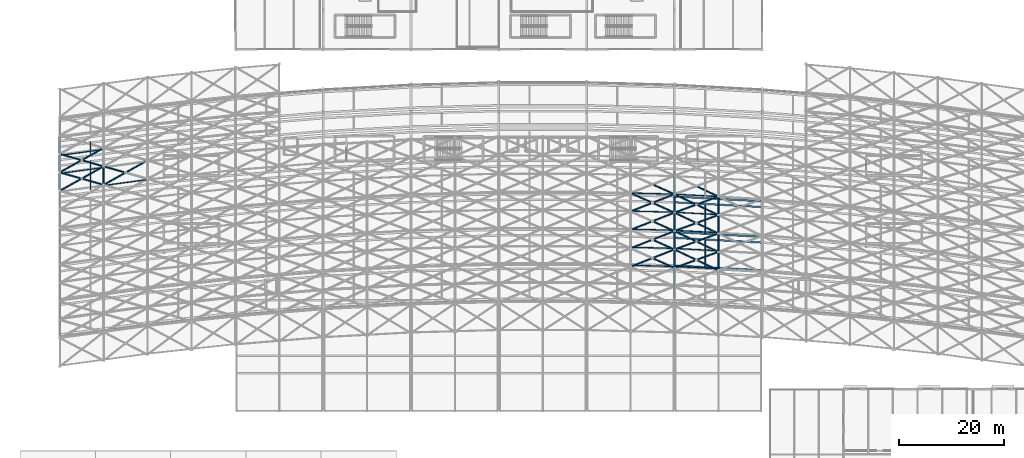
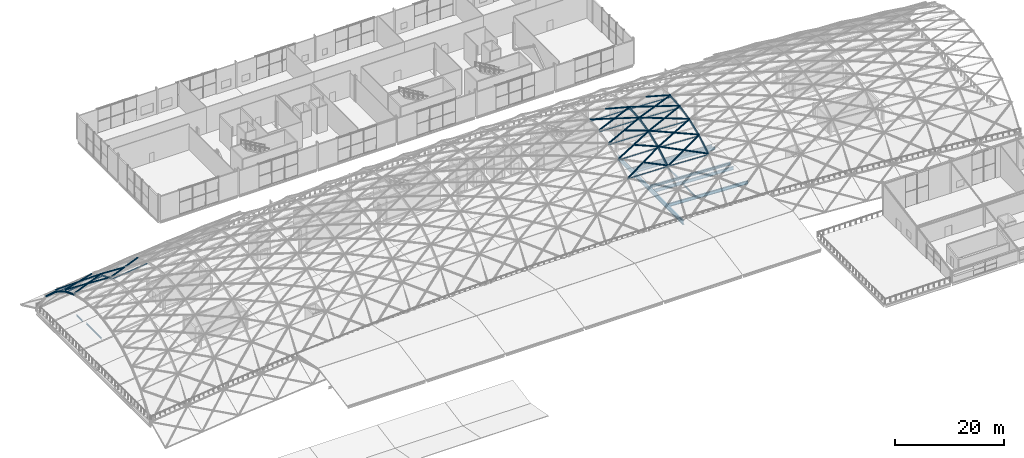
# One storey, part 22 of 100: 56 members, 10 beams.
"""IFC4 building model written with IfcOpenShell, lengths in metres."""

from ifc_helpers import new_model, si_unit, direction, frame, origin, origin_2d, place, context, subcontext, project, spatial, hollow_circle, i_section, extrude, material, material_profile, profile_set, type_object, element, save


model = new_model("IFC4")

# Units and contexts
model_context = context("Model", 3, precision=1e-05, world=origin(), true_north=direction((0.0, 1.0)))
body_context = subcontext(model_context, "Body", "Model", "MODEL_VIEW")
ifc_project = project(units=[si_unit("LENGTHUNIT", "METRE"), si_unit("AREAUNIT", "SQUARE_METRE"), si_unit("VOLUMEUNIT", "CUBIC_METRE"), si_unit("PLANEANGLEUNIT", "RADIAN"), si_unit("MASSUNIT", "GRAM", prefix="KILO")], contexts=[model_context])

# Site, building, storey
site_placement = place(None, origin())
site = spatial("IfcSite", under=ifc_project, at=site_placement, CompositionType="ELEMENT")
building_placement = place(site_placement, origin())
building = spatial("IfcBuilding", under=site, at=building_placement, Name="Kimbaza Rail Terminus", CompositionType="ELEMENT")
storey_placement = place(building_placement, frame((0.0, 0.0, 10.800048828125)))
storey = spatial("IfcBuildingStorey", under=building, at=storey_placement, Name="L02", CompositionType="ELEMENT", Elevation=10.800048828125)

# Beams
ifc_material_1 = material(Name="Steel S355", Category="steel")
ifc_material_profile_1 = material_profile(ifc_material_1, i_section(OverallWidth=0.300048828125, OverallDepth=0.64990234375, WebThickness=0.01611328125, FlangeThickness=0.031005859375, FilletRadius=0.027099609375, at=origin_2d()), Name="HEB 650")
ifc_profile_set_1 = profile_set([ifc_material_profile_1], Name="Steel S355")
beam_type_1 = type_object("IfcBeamType", Name="STR-BM-HEB650", PredefinedType="USERDEFINED", material=ifc_profile_set_1)
for number, where, z_axis, x_axis, name in (
    (1, (139.3447265625, 68.02978515625, -0.5849609375), (0.998529923153, -0.054203252368, 0.0), (0.054203252368, 0.998529923153, 0.0), "Viaduct Chorded Girder P2 Bay 08"),
    (2, (139.3447265625, 73.729736328125, -0.5849609375), (0.998530722194, -0.054188530475, 0.0), (0.054188530475, 0.998530722194, 0.0), "Viaduct Chorded Girder P2 Bay 08"),
):
    element("IfcBeam", number, at=place(storey_placement, frame(where, z_axis=z_axis, x_axis=x_axis)), inside=storey, type_object=beam_type_1, Name=name, ObjectType="GIRDER", PredefinedType="USERDEFINED", context=body_context, shape_type="SweptSolid", body=[
        extrude(i_section(OverallWidth=0.300048828125, OverallDepth=0.64990234375, WebThickness=0.01611328125, FlangeThickness=0.031005859375, FilletRadius=0.027099609375, at=origin_2d()), origin(), (0.0, 0.0, 1.0), 16.534912109375),
    ])
ifc_material_2 = material(Name="Steel S355", Category="steel")
ifc_material_profile_2 = material_profile(ifc_material_2, i_section(OverallWidth=0.300048828125, OverallDepth=0.699951171875, WebThickness=0.01708984375, FlangeThickness=0.031982421875, FilletRadius=0.027099609375, at=origin_2d()), Name="HEB 700")
ifc_profile_set_2 = profile_set([ifc_material_profile_2], Name="Steel S355")
beam_type_2 = type_object("IfcBeamType", Name="STR-BM-HEB700", PredefinedType="USERDEFINED", material=ifc_profile_set_2)
for number, where, z_axis, x_axis, name in (
    (3, (139.3447265625, 61.6298828125, -0.920166015625), (0.998529923153, -0.054203252368, 0.0), (0.054203252368, 0.998529923153, 0.0), "Viaduct Chorded Girder TR12 Bay 08"),
    (4, (139.3447265625, 66.929931640625, -0.920166015625), (0.998529923153, -0.054203252368, 0.0), (0.054203252368, 0.998529923153, 0.0), "Viaduct Chorded Girder TR12 Bay 08"),
    (5, (139.3447265625, 74.829833984375, -0.920166015625), (0.998529923153, -0.054203252368, 0.0), (0.054203252368, 0.998529923153, 0.0), "Viaduct Chorded Girder TR34 Bay 08"),
):
    element("IfcBeam", number, at=place(storey_placement, frame(where, z_axis=z_axis, x_axis=x_axis)), inside=storey, type_object=beam_type_2, Name=name, ObjectType="GIRDER", PredefinedType="USERDEFINED", context=body_context, shape_type="SweptSolid", body=[
        extrude(i_section(OverallWidth=0.300048828125, OverallDepth=0.699951171875, WebThickness=0.01708984375, FlangeThickness=0.031982421875, FilletRadius=0.027099609375, at=origin_2d()), origin(), (0.0, 0.0, 1.0), 16.534912109375),
    ])
ifc_material_3 = material(Name="Steel S355", Category="steel")
ifc_material_profile_3 = material_profile(ifc_material_3, i_section(OverallWidth=0.302001953125, OverallDepth=0.909912109375, WebThickness=0.02099609375, FlangeThickness=0.0400390625, FilletRadius=0.030029296875, at=origin_2d()), Name="HEM 900")
ifc_profile_set_3 = profile_set([ifc_material_profile_3], Name="Steel S355")
beam_type_3 = type_object("IfcBeamType", Name="STR-BM-HEM900", PredefinedType="USERDEFINED", material=ifc_profile_set_3)
beam_1_placement = place(storey_placement, frame((139.199951171875, 55.498046875, -1.025146484375), z_axis=(0.0, 1.0, 0.0), x_axis=(-1.0, 0.0, 0.0)))
element("IfcBeam", 6, at=beam_1_placement, inside=storey, type_object=beam_type_3, Name="Warren Transfer Truss WT-05 Top Chord", ObjectType="GIRDER", PredefinedType="USERDEFINED", context=body_context, shape_type="SweptSolid", body=[
    extrude(i_section(OverallWidth=0.302001953125, OverallDepth=0.909912109375, WebThickness=0.02099609375, FlangeThickness=0.0400390625, FilletRadius=0.030029296875, at=origin_2d()), origin(), (0.0, 0.0, 1.0), 24.203857421875),
])
ifc_material_4 = material(Name="Steel S355", Category="steel")
ifc_material_profile_4 = material_profile(ifc_material_4, i_section(OverallWidth=0.169921875, OverallDepth=0.360107421875, WebThickness=0.008056640625, FlangeThickness=0.0126953125, FilletRadius=0.01806640625, at=origin_2d()), Name="IPE 360")
ifc_profile_set_4 = profile_set([ifc_material_profile_4], Name="Steel S355")
beam_type_4 = type_object("IfcBeamType", Name="STR-BM-IPE360", PredefinedType="JOIST", material=ifc_profile_set_4)
beam_2_placement = place(storey_placement, frame((27.47998046875, 76.119873046875, -0.43994140625), z_axis=(0.0, 1.0, 0.0), x_axis=(-1.0, 0.0, 0.0)))
element("IfcBeam", 7, at=beam_2_placement, inside=storey, type_object=beam_type_4, Name="Viaduct Diaphragm P3 Bay 01", PredefinedType="JOIST", context=body_context, shape_type="SweptSolid", body=[
    extrude(i_section(OverallWidth=0.169921875, OverallDepth=0.360107421875, WebThickness=0.008056640625, FlangeThickness=0.0126953125, FilletRadius=0.01806640625, at=origin_2d()), origin(), (0.0, 0.0, 1.0), 5.60986328125),
])
beam_3_placement = place(storey_placement, frame((27.47998046875, 83.119873046875, -0.75), z_axis=(0.0, 1.0, 0.0), x_axis=(-1.0, 0.0, 0.0)))
element("IfcBeam", 8, at=beam_3_placement, inside=storey, type_object=beam_type_4, Name="Viaduct Diaphragm TR56 Bay 01", PredefinedType="JOIST", context=body_context, shape_type="SweptSolid", body=[
    extrude(i_section(OverallWidth=0.169921875, OverallDepth=0.360107421875, WebThickness=0.008056640625, FlangeThickness=0.0126953125, FilletRadius=0.01806640625, at=origin_2d()), origin(), (0.0, 0.0, 1.0), 2.2099609375),
])
beam_4_placement = place(storey_placement, frame((145.080078125, 61.32666015625, -0.75), z_axis=(0.0, 1.0, 0.0), x_axis=(-1.0, 0.0, 0.0)))
element("IfcBeam", 9, at=beam_4_placement, inside=storey, type_object=beam_type_4, Name="Viaduct Diaphragm TR12 Bay 08", PredefinedType="JOIST", context=body_context, shape_type="SweptSolid", body=[
    extrude(i_section(OverallWidth=0.169921875, OverallDepth=0.360107421875, WebThickness=0.008056640625, FlangeThickness=0.0126953125, FilletRadius=0.01806640625, at=origin_2d()), origin(), (0.0, 0.0, 1.0), 5.010009765625),
])
beam_5_placement = place(storey_placement, frame((145.080078125, 67.726806640625, -0.43994140625), z_axis=(0.0, 1.0, 0.0), x_axis=(-1.0, 0.0, 0.0)))
element("IfcBeam", 10, at=beam_5_placement, inside=storey, type_object=beam_type_4, Name="Viaduct Diaphragm P2 Bay 08", PredefinedType="JOIST", context=body_context, shape_type="SweptSolid", body=[
    extrude(i_section(OverallWidth=0.169921875, OverallDepth=0.360107421875, WebThickness=0.008056640625, FlangeThickness=0.0126953125, FilletRadius=0.01806640625, at=origin_2d()), origin(), (0.0, 0.0, 1.0), 5.409912109375),
])

# Members
ifc_material_5 = material(Name="White painted steel S355", Category="steel")
ifc_material_profile_5 = material_profile(ifc_material_5, hollow_circle(Radius=0.109619140625, WallThickness=0.008056640625, at=origin_2d()), Name="CHS 219.1x8")
ifc_profile_set_5 = profile_set([ifc_material_profile_5], Name="White painted steel S355")
member_type_1 = type_object("IfcMemberType", Name="STR-MB-CHS219", PredefinedType="PURLIN", material=ifc_profile_set_5)
for number, where, z_axis, x_axis, name in (
    (11, (21.60009765625, 79.2470703125, 10.078857421875), (0.990775062808, 0.135516696087, 0.0), (-0.135516696087, 0.990775062808, 0.0), "Vault lattice longitudinal purlin VR-00-VA10"),
    (12, (21.60009765625, 82.7041015625, 7.9716796875), (0.990775062808, 0.135516696087, 0.0), (-0.135516696087, 0.990775062808, 0.0), "Vault lattice longitudinal purlin VR-00-VA11"),
    (13, (30.0, 76.93896484375, 11.462158203125), (0.990778928837, 0.135488428186, 0.0), (-0.135488428186, 0.990778928837, 0.0), "Vault lattice longitudinal purlin VR-01-VA09"),
):
    element("IfcMember", number, at=place(storey_placement, frame(where, z_axis=z_axis, x_axis=x_axis)), inside=storey, type_object=member_type_1, Name=name, PredefinedType="PURLIN", context=body_context, shape_type="SweptSolid", body=[
        extrude(hollow_circle(Radius=0.109619140625, WallThickness=0.008056640625, at=origin_2d()), origin(), (0.0, 0.0, 1.0), 8.47802734375),
    ])
for number, where, z_axis, x_axis, name in (
    (14, (130.800048828125, 61.687255859375, 7.9716796875), (0.999632526959, -0.027107398351, 0.0), (0.027107398351, 0.999632526959, 0.0), "Vault lattice longitudinal purlin VR-13-VA03"),
    (15, (130.800048828125, 65.144287109375, 10.078857421875), (0.999632526959, -0.027107398351, 0.0), (0.027107398351, 0.999632526959, 0.0), "Vault lattice longitudinal purlin VR-13-VA04"),
    (16, (130.800048828125, 68.601318359375, 11.462158203125), (0.999632526959, -0.027107398351, 0.0), (0.027107398351, 0.999632526959, 0.0), "Vault lattice longitudinal purlin VR-13-VA05"),
    (17, (130.800048828125, 72.058349609375, 12.25244140625), (0.999632526959, -0.027107398351, 0.0), (0.027107398351, 0.999632526959, 0.0), "Vault lattice longitudinal purlin VR-13-VA06"),
    (18, (130.800048828125, 75.515380859375, 12.510009765625), (0.999632526959, -0.027107398351, 0.0), (0.027107398351, 0.999632526959, 0.0), "Vault lattice longitudinal purlin VR-13-VA07"),
):
    element("IfcMember", number, at=place(storey_placement, frame(where, z_axis=z_axis, x_axis=x_axis)), inside=storey, type_object=member_type_1, Name=name, PredefinedType="PURLIN", context=body_context, shape_type="SweptSolid", body=[
        extrude(hollow_circle(Radius=0.109619140625, WallThickness=0.008056640625, at=origin_2d()), origin(), (0.0, 0.0, 1.0), 8.403076171875),
    ])
for number, where, z_axis, x_axis, name in (
    (19, (139.199951171875, 61.45947265625, 7.9716796875), (0.998531049137, -0.054182505558, 0.0), (0.054182505558, 0.998531049137, 0.0), "Vault lattice longitudinal purlin VR-14-VA03"),
    (20, (139.199951171875, 64.91650390625, 10.078857421875), (0.998531049137, -0.054182505558, 0.0), (0.054182505558, 0.998531049137, 0.0), "Vault lattice longitudinal purlin VR-14-VA04"),
    (21, (139.199951171875, 68.37353515625, 11.462158203125), (0.998531049137, -0.054182505558, 0.0), (0.054182505558, 0.998531049137, 0.0), "Vault lattice longitudinal purlin VR-14-VA05"),
    (22, (139.199951171875, 71.83056640625, 12.25244140625), (0.998531049137, -0.054182505558, 0.0), (0.054182505558, 0.998531049137, 0.0), "Vault lattice longitudinal purlin VR-14-VA06"),
    (23, (139.199951171875, 75.28759765625, 12.510009765625), (0.998531049137, -0.054182505558, 0.0), (0.054182505558, 0.998531049137, 0.0), "Vault lattice longitudinal purlin VR-14-VA07"),
):
    element("IfcMember", number, at=place(storey_placement, frame(where, z_axis=z_axis, x_axis=x_axis)), inside=storey, type_object=member_type_1, Name=name, PredefinedType="PURLIN", context=body_context, shape_type="SweptSolid", body=[
        extrude(hollow_circle(Radius=0.109619140625, WallThickness=0.008056640625, at=origin_2d()), origin(), (0.0, 0.0, 1.0), 8.41259765625),
    ])
ifc_material_6 = material(Name="White painted steel S355", Category="steel")
ifc_material_profile_6 = material_profile(ifc_material_6, hollow_circle(Radius=0.161865234375, WallThickness=0.010009765625, at=origin_2d()), Name="CHS 323.9x10")
ifc_profile_set_6 = profile_set([ifc_material_profile_6], Name="White painted steel S355")
member_type_2 = type_object("IfcMemberType", Name="STR-MB-CHS323", PredefinedType="STRUT", material=ifc_profile_set_6)
member_1_placement = place(storey_placement, frame((21.60009765625, 75.929443359375, 11.9111328125), z_axis=(0.864506391462, 0.481174719424, -0.145256974046), x_axis=(-0.486332783542, 0.873773668436, 0.0)))
element("IfcMember", 24, at=member_1_placement, inside=storey, type_object=member_type_2, Name="Vault lattice diagonal A VR-00-VA09", PredefinedType="STRUT", context=body_context, shape_type="SweptSolid", body=[
    extrude(hollow_circle(Radius=0.161865234375, WallThickness=0.010009765625, at=origin_2d()), origin(), (0.0, 0.0, 1.0), 9.71630859375),
])
for number, where, z_axis, x_axis, name in (
    (25, (30.0, 77.078125, 11.9111328125), (-0.949859093603, 0.268895761544, -0.159570585393), (-0.272385973351, -0.962188069725, 0.0), "Vault lattice diagonal B1 VR-00-VA09"),
    (26, (25.800048828125, 78.26708984375, 11.20556640625), (-0.949850723392, 0.26889339202, -0.159624393497), (-0.272385973351, -0.962188069725, 0.0), "Vault lattice diagonal B2 VR-00-VA09"),
):
    element("IfcMember", number, at=place(storey_placement, frame(where, z_axis=z_axis, x_axis=x_axis)), inside=storey, type_object=member_type_2, Name=name, PredefinedType="STRUT", context=body_context, shape_type="SweptSolid", body=[
        extrude(hollow_circle(Radius=0.161865234375, WallThickness=0.010009765625, at=origin_2d()), origin(), (0.0, 0.0, 1.0), 4.421630859375),
    ])
member_2_placement = place(storey_placement, frame((21.60009765625, 79.4560546875, 10.499755859375), z_axis=(0.852709514582, 0.474633491651, -0.218196086914), x_axis=(-0.486352172507, 0.87376287647, 0.0)))
element("IfcMember", 27, at=member_2_placement, inside=storey, type_object=member_type_2, Name="Vault lattice diagonal A VR-00-VA10", PredefinedType="STRUT", context=body_context, shape_type="SweptSolid", body=[
    extrude(hollow_circle(Radius=0.161865234375, WallThickness=0.010009765625, at=origin_2d()), origin(), (0.0, 0.0, 1.0), 9.850830078125),
])
for number, where, z_axis, x_axis, name in (
    (28, (30.0, 80.604736328125, 10.499755859375), (-0.934286738554, 0.264487381082, -0.239070523927), (-0.272385973351, -0.962188069725, 0.0), "Vault lattice diagonal B1 VR-00-VA10"),
    (29, (25.800048828125, 81.793701171875, 9.425048828125), (-0.934286738554, 0.264487381082, -0.239070523927), (-0.272385973351, -0.962188069725, 0.0), "Vault lattice diagonal B2 VR-00-VA10"),
):
    element("IfcMember", number, at=place(storey_placement, frame(where, z_axis=z_axis, x_axis=x_axis)), inside=storey, type_object=member_type_2, Name=name, PredefinedType="STRUT", context=body_context, shape_type="SweptSolid", body=[
        extrude(hollow_circle(Radius=0.161865234375, WallThickness=0.010009765625, at=origin_2d()), origin(), (0.0, 0.0, 1.0), 4.495361328125),
    ])
member_3_placement = place(storey_placement, frame((30.0, 77.078125, 11.9111328125), z_axis=(0.864495939243, 0.481194028147, -0.145255217833), x_axis=(-0.486352172507, 0.87376287647, 0.0)))
element("IfcMember", 30, at=member_3_placement, inside=storey, type_object=member_type_2, Name="Vault lattice diagonal A VR-01-VA09", PredefinedType="STRUT", context=body_context, shape_type="SweptSolid", body=[
    extrude(hollow_circle(Radius=0.161865234375, WallThickness=0.010009765625, at=origin_2d()), origin(), (0.0, 0.0, 1.0), 9.716552734375),
])
member_4_placement = place(storey_placement, frame((34.199951171875, 79.415771484375, 11.20556640625), z_axis=(-0.949850723392, 0.26889339202, -0.159624393497), x_axis=(-0.272385973351, -0.962188069725, 0.0)))
element("IfcMember", 31, at=member_4_placement, inside=storey, type_object=member_type_2, Name="Vault lattice diagonal B2 VR-01-VA09", PredefinedType="STRUT", context=body_context, shape_type="SweptSolid", body=[
    extrude(hollow_circle(Radius=0.161865234375, WallThickness=0.010009765625, at=origin_2d()), origin(), (0.0, 0.0, 1.0), 4.421630859375),
])
member_5_placement = place(storey_placement, frame((130.800048828125, 61.40869140625, 8.350341796875), z_axis=(0.905457290146, 0.355619495488, 0.231693483185), x_axis=(-0.365566997042, 0.930785029249, 0.0)))
element("IfcMember", 32, at=member_5_placement, inside=storey, type_object=member_type_2, Name="Vault lattice diagonal A VR-13-VA03", PredefinedType="STRUT", context=body_context, shape_type="SweptSolid", body=[
    extrude(hollow_circle(Radius=0.161865234375, WallThickness=0.010009765625, at=origin_2d()), origin(), (0.0, 0.0, 1.0), 9.27685546875),
])
member_6_placement = place(storey_placement, frame((139.199951171875, 61.180908203125, 8.350341796875), z_axis=(-0.88902133096, 0.397354241339, 0.227487757885), x_axis=(-0.408053007434, -0.912958237338, 0.0)))
element("IfcMember", 33, at=member_6_placement, inside=storey, type_object=member_type_2, Name="Vault lattice diagonal B1 VR-13-VA03", PredefinedType="STRUT", context=body_context, shape_type="SweptSolid", body=[
    extrude(hollow_circle(Radius=0.161865234375, WallThickness=0.010009765625, at=origin_2d()), origin(), (0.0, 0.0, 1.0), 4.72412109375),
])
member_7_placement = place(storey_placement, frame((130.800048828125, 64.935302734375, 10.499755859375), z_axis=(0.919606699359, 0.361176693845, 0.15451509414), x_axis=(-0.365566997042, 0.930785029249, 0.0)))
element("IfcMember", 34, at=member_7_placement, inside=storey, type_object=member_type_2, Name="Vault lattice diagonal A VR-13-VA04", PredefinedType="STRUT", context=body_context, shape_type="SweptSolid", body=[
    extrude(hollow_circle(Radius=0.161865234375, WallThickness=0.010009765625, at=origin_2d()), origin(), (0.0, 0.0, 1.0), 9.13427734375),
])
member_8_placement = place(storey_placement, frame((139.199951171875, 64.707763671875, 10.499755859375), z_axis=(-0.902399186705, 0.40333356662, 0.15165006387), x_axis=(-0.408053007434, -0.912958237338, 0.0)))
element("IfcMember", 35, at=member_8_placement, inside=storey, type_object=member_type_2, Name="Vault lattice diagonal B1 VR-13-VA04", PredefinedType="STRUT", context=body_context, shape_type="SweptSolid", body=[
    extrude(hollow_circle(Radius=0.161865234375, WallThickness=0.010009765625, at=origin_2d()), origin(), (0.0, 0.0, 1.0), 4.654296875),
])
member_9_placement = place(storey_placement, frame((130.800048828125, 68.462158203125, 11.9111328125), z_axis=(0.927102528361, 0.364093744208, 0.088975543471), x_axis=(-0.365543559049, 0.93079423421, 0.0)))
element("IfcMember", 36, at=member_9_placement, inside=storey, type_object=member_type_2, Name="Vault lattice diagonal A VR-13-VA05", PredefinedType="STRUT", context=body_context, shape_type="SweptSolid", body=[
    extrude(hollow_circle(Radius=0.161865234375, WallThickness=0.010009765625, at=origin_2d()), origin(), (0.0, 0.0, 1.0), 9.060302734375),
])
member_10_placement = place(storey_placement, frame((139.199951171875, 68.234375, 11.9111328125), z_axis=(-0.909473927831, 0.406495671167, 0.087283697893), x_axis=(-0.408053007434, -0.912958237338, 0.0)))
element("IfcMember", 37, at=member_10_placement, inside=storey, type_object=member_type_2, Name="Vault lattice diagonal B1 VR-13-VA05", PredefinedType="STRUT", context=body_context, shape_type="SweptSolid", body=[
    extrude(hollow_circle(Radius=0.161865234375, WallThickness=0.010009765625, at=origin_2d()), origin(), (0.0, 0.0, 1.0), 4.617919921875),
])
member_11_placement = place(storey_placement, frame((130.800048828125, 71.98876953125, 12.71728515625), z_axis=(0.930400129761, 0.365388785483, 0.029096975517), x_axis=(-0.365543559049, 0.93079423421, 0.0)))
element("IfcMember", 38, at=member_11_placement, inside=storey, type_object=member_type_2, Name="Vault lattice diagonal A VR-13-VA06", PredefinedType="STRUT", context=body_context, shape_type="SweptSolid", body=[
    extrude(hollow_circle(Radius=0.161865234375, WallThickness=0.010009765625, at=origin_2d()), origin(), (0.0, 0.0, 1.0), 9.0283203125),
])
for number, where, z_axis, x_axis, name in (
    (39, (139.199951171875, 71.760986328125, 12.71728515625), (-0.912586348206, 0.407886789011, 0.028539874169), (-0.408053007434, -0.912958237338, 0.0), "Vault lattice diagonal B1 VR-13-VA06"),
    (40, (135.0, 73.63818359375, 12.8486328125), (-0.912586348206, 0.407886789011, 0.028539874169), (-0.408053007434, -0.912958237338, 0.0), "Vault lattice diagonal B2 VR-13-VA06"),
    (41, (139.199951171875, 75.28759765625, 12.97998046875), (-0.912586348206, 0.407886789011, -0.028539874169), (-0.408053007434, -0.912958237338, 0.0), "Vault lattice diagonal B1 VR-13-VA07"),
):
    element("IfcMember", number, at=place(storey_placement, frame(where, z_axis=z_axis, x_axis=x_axis)), inside=storey, type_object=member_type_2, Name=name, PredefinedType="STRUT", context=body_context, shape_type="SweptSolid", body=[
        extrude(hollow_circle(Radius=0.161865234375, WallThickness=0.010009765625, at=origin_2d()), origin(), (0.0, 0.0, 1.0), 4.602294921875),
    ])
member_12_placement = place(storey_placement, frame((139.199951171875, 61.180908203125, 8.350341796875), z_axis=(0.913209065042, 0.333837405763, 0.23367025921), x_axis=(-0.343342534729, 0.939210255399, 0.0)))
element("IfcMember", 42, at=member_12_placement, inside=storey, type_object=member_type_2, Name="Vault lattice diagonal A VR-14-VA03", PredefinedType="STRUT", context=body_context, shape_type="SweptSolid", body=[
    extrude(hollow_circle(Radius=0.161865234375, WallThickness=0.010009765625, at=origin_2d()), origin(), (0.0, 0.0, 1.0), 9.198486328125),
])
member_13_placement = place(storey_placement, frame((147.60009765625, 60.72509765625, 8.350341796875), z_axis=(-0.880376626837, 0.417365250435, 0.225262608192), x_axis=(-0.42837531665, -0.903600900888, 0.0)))
element("IfcMember", 43, at=member_13_placement, inside=storey, type_object=member_type_2, Name="Vault lattice diagonal B1 VR-14-VA03", PredefinedType="STRUT", context=body_context, shape_type="SweptSolid", body=[
    extrude(hollow_circle(Radius=0.161865234375, WallThickness=0.010009765625, at=origin_2d()), origin(), (0.0, 0.0, 1.0), 4.77099609375),
])
member_14_placement = place(storey_placement, frame((143.39990234375, 62.71630859375, 9.425048828125), z_axis=(-0.880346310549, 0.417426312571, 0.22526794507), x_axis=(-0.428438532209, -0.903570929213, 0.0)))
element("IfcMember", 44, at=member_14_placement, inside=storey, type_object=member_type_2, Name="Vault lattice diagonal B2 VR-14-VA03", PredefinedType="STRUT", context=body_context, shape_type="SweptSolid", body=[
    extrude(hollow_circle(Radius=0.161865234375, WallThickness=0.010009765625, at=origin_2d()), origin(), (0.0, 0.0, 1.0), 4.770751953125),
])
member_15_placement = place(storey_placement, frame((139.199951171875, 64.707763671875, 10.499755859375), z_axis=(0.927738504005, 0.339121898593, 0.155876893994), x_axis=(-0.343318455211, 0.939219057681, 0.0)))
element("IfcMember", 45, at=member_15_placement, inside=storey, type_object=member_type_2, Name="Vault lattice diagonal A VR-14-VA04", PredefinedType="STRUT", context=body_context, shape_type="SweptSolid", body=[
    extrude(hollow_circle(Radius=0.161865234375, WallThickness=0.010009765625, at=origin_2d()), origin(), (0.0, 0.0, 1.0), 9.054443359375),
])
member_16_placement = place(storey_placement, frame((147.60009765625, 64.251708984375, 10.499755859375), z_axis=(-0.893360768621, 0.423520717791, 0.150122412351), x_axis=(-0.42837531665, -0.903600900888, 0.0)))
element("IfcMember", 46, at=member_16_placement, inside=storey, type_object=member_type_2, Name="Vault lattice diagonal B1 VR-14-VA04", PredefinedType="STRUT", context=body_context, shape_type="SweptSolid", body=[
    extrude(hollow_circle(Radius=0.161865234375, WallThickness=0.010009765625, at=origin_2d()), origin(), (0.0, 0.0, 1.0), 4.70166015625),
])
member_17_placement = place(storey_placement, frame((143.39990234375, 66.242919921875, 11.20556640625), z_axis=(-0.893337597277, 0.423586280357, 0.150075315708), x_axis=(-0.428438532209, -0.903570929213, 0.0)))
element("IfcMember", 47, at=member_17_placement, inside=storey, type_object=member_type_2, Name="Vault lattice diagonal B2 VR-14-VA04", PredefinedType="STRUT", context=body_context, shape_type="SweptSolid", body=[
    extrude(hollow_circle(Radius=0.161865234375, WallThickness=0.010009765625, at=origin_2d()), origin(), (0.0, 0.0, 1.0), 4.701416015625),
])
member_18_placement = place(storey_placement, frame((139.199951171875, 68.234375, 11.9111328125), z_axis=(0.935418131197, 0.341956266289, 0.089770996286), x_axis=(-0.343342534729, 0.939210255399, 0.0)))
element("IfcMember", 48, at=member_18_placement, inside=storey, type_object=member_type_2, Name="Vault lattice diagonal A VR-14-VA05", PredefinedType="STRUT", context=body_context, shape_type="SweptSolid", body=[
    extrude(hollow_circle(Radius=0.161865234375, WallThickness=0.010009765625, at=origin_2d()), origin(), (0.0, 0.0, 1.0), 8.97998046875),
])
member_19_placement = place(storey_placement, frame((147.60009765625, 67.7783203125, 11.9111328125), z_axis=(-0.900202526702, 0.426816554889, 0.086388884654), x_axis=(-0.42841819972, -0.903580569816, 0.0)))
element("IfcMember", 49, at=member_19_placement, inside=storey, type_object=member_type_2, Name="Vault lattice diagonal B1 VR-14-VA05", PredefinedType="STRUT", context=body_context, shape_type="SweptSolid", body=[
    extrude(hollow_circle(Radius=0.161865234375, WallThickness=0.010009765625, at=origin_2d()), origin(), (0.0, 0.0, 1.0), 4.665771484375),
])
member_20_placement = place(storey_placement, frame((143.39990234375, 69.769775390625, 12.314208984375), z_axis=(-0.90021270886, 0.426793864643, 0.086394883586), x_axis=(-0.428395648018, -0.903591261998, 0.0)))
element("IfcMember", 50, at=member_20_placement, inside=storey, type_object=member_type_2, Name="Vault lattice diagonal B2 VR-14-VA05", PredefinedType="STRUT", context=body_context, shape_type="SweptSolid", body=[
    extrude(hollow_circle(Radius=0.161865234375, WallThickness=0.010009765625, at=origin_2d()), origin(), (0.0, 0.0, 1.0), 4.66552734375),
])
member_21_placement = place(storey_placement, frame((139.199951171875, 71.760986328125, 12.71728515625), z_axis=(0.938805391993, 0.343194530778, 0.029358985142), x_axis=(-0.343342534729, 0.939210255399, 0.0)))
element("IfcMember", 51, at=member_21_placement, inside=storey, type_object=member_type_2, Name="Vault lattice diagonal A VR-14-VA06", PredefinedType="STRUT", context=body_context, shape_type="SweptSolid", body=[
    extrude(hollow_circle(Radius=0.161865234375, WallThickness=0.010009765625, at=origin_2d()), origin(), (0.0, 0.0, 1.0), 8.94775390625),
])
member_22_placement = place(storey_placement, frame((147.60009765625, 71.30517578125, 12.71728515625), z_axis=(-0.90324036735, 0.428204396426, 0.028245949642), x_axis=(-0.42837531665, -0.903600900888, 0.0)))
element("IfcMember", 52, at=member_22_placement, inside=storey, type_object=member_type_2, Name="Vault lattice diagonal B1 VR-14-VA06", PredefinedType="STRUT", context=body_context, shape_type="SweptSolid", body=[
    extrude(hollow_circle(Radius=0.161865234375, WallThickness=0.010009765625, at=origin_2d()), origin(), (0.0, 0.0, 1.0), 4.650146484375),
])
member_23_placement = place(storey_placement, frame((143.39990234375, 73.29638671875, 12.8486328125), z_axis=(-0.903230698103, 0.428224703466, 0.028247289169), x_axis=(-0.428395648018, -0.903591261998, 0.0)))
element("IfcMember", 53, at=member_23_placement, inside=storey, type_object=member_type_2, Name="Vault lattice diagonal B2 VR-14-VA06", PredefinedType="STRUT", context=body_context, shape_type="SweptSolid", body=[
    extrude(hollow_circle(Radius=0.161865234375, WallThickness=0.010009765625, at=origin_2d()), origin(), (0.0, 0.0, 1.0), 4.64990234375),
])
member_24_placement = place(storey_placement, frame((147.60009765625, 74.831787109375, 12.97998046875), z_axis=(-0.90324036735, 0.428204396426, -0.028245949642), x_axis=(-0.42837531665, -0.903600900888, 0.0)))
element("IfcMember", 54, at=member_24_placement, inside=storey, type_object=member_type_2, Name="Vault lattice diagonal B1 VR-14-VA07", PredefinedType="STRUT", context=body_context, shape_type="SweptSolid", body=[
    extrude(hollow_circle(Radius=0.161865234375, WallThickness=0.010009765625, at=origin_2d()), origin(), (0.0, 0.0, 1.0), 4.650146484375),
])
ifc_material_7 = material(Name="White painted steel S355", Category="steel")
ifc_material_profile_7 = material_profile(ifc_material_7, hollow_circle(Radius=0.177734375, WallThickness=0.012451171875, at=origin_2d()), Name="CHS 355.6x12.5")
ifc_profile_set_7 = profile_set([ifc_material_profile_7], Name="White painted steel S355")
member_type_3 = type_object("IfcMemberType", Name="STR-MB-CHS355", PredefinedType="CHORD", material=ifc_profile_set_7)
member_25_placement = place(storey_placement, frame((30.0, 76.9892578125, 11.62451171875), z_axis=(0.0, 0.928413829694, -0.37154779078), x_axis=(-1.0, 0.0, 0.0)))
element("IfcMember", 55, at=member_25_placement, inside=storey, type_object=member_type_3, Name="Vault lattice arch chord VR-01 seg 10", PredefinedType="CHORD", context=body_context, shape_type="SweptSolid", body=[
    extrude(hollow_circle(Radius=0.177734375, WallThickness=0.012451171875, at=origin_2d()), origin(), (0.0, 0.0, 1.0), 3.750732421875),
])
member_26_placement = place(storey_placement, frame((147.60009765625, 60.90283203125, 8.108642578125), z_axis=(0.0, 0.853901304322, 0.520434974302), x_axis=(-1.0, 0.0, 0.0)))
element("IfcMember", 56, at=member_26_placement, inside=storey, type_object=member_type_3, Name="Vault lattice arch chord VR-15 seg 4", PredefinedType="CHORD", context=body_context, shape_type="SweptSolid", body=[
    extrude(hollow_circle(Radius=0.177734375, WallThickness=0.012451171875, at=origin_2d()), origin(), (0.0, 0.0, 1.0), 4.077880859375),
])
member_27_placement = place(storey_placement, frame((147.60009765625, 64.385009765625, 10.23095703125), z_axis=(0.0, 0.928413829694, 0.37154779078), x_axis=(-1.0, 0.0, 0.0)))
element("IfcMember", 57, at=member_27_placement, inside=storey, type_object=member_type_3, Name="Vault lattice arch chord VR-15 seg 5", PredefinedType="CHORD", context=body_context, shape_type="SweptSolid", body=[
    extrude(hollow_circle(Radius=0.177734375, WallThickness=0.012451171875, at=origin_2d()), origin(), (0.0, 0.0, 1.0), 3.750732421875),
])
member_28_placement = place(storey_placement, frame((147.60009765625, 67.8671875, 11.62451171875), z_axis=(0.0, 0.974848749884, 0.22286748271), x_axis=(-1.0, 0.0, 0.0)))
element("IfcMember", 58, at=member_28_placement, inside=storey, type_object=member_type_3, Name="Vault lattice arch chord VR-15 seg 6", PredefinedType="CHORD", context=body_context, shape_type="SweptSolid", body=[
    extrude(hollow_circle(Radius=0.177734375, WallThickness=0.012451171875, at=origin_2d()), origin(), (0.0, 0.0, 1.0), 3.572265625),
])
member_29_placement = place(storey_placement, frame((147.60009765625, 71.349609375, 12.420654296875), z_axis=(0.0, 0.997239447362, 0.074252842537), x_axis=(-1.0, 0.0, 0.0)))
element("IfcMember", 59, at=member_29_placement, inside=storey, type_object=member_type_3, Name="Vault lattice arch chord VR-15 seg 7", PredefinedType="CHORD", context=body_context, shape_type="SweptSolid", body=[
    extrude(hollow_circle(Radius=0.177734375, WallThickness=0.012451171875, at=origin_2d()), origin(), (0.0, 0.0, 1.0), 3.49169921875),
])
ifc_material_8 = material(Name="White painted steel S355", Category="steel")
ifc_material_profile_8 = material_profile(ifc_material_8, hollow_circle(Radius=0.203125, WallThickness=0.01416015625, at=origin_2d()), Name="CHS 406.4x14.2")
ifc_profile_set_8 = profile_set([ifc_material_profile_8], Name="White painted steel S355")
member_type_4 = type_object("IfcMemberType", Name="STR-MB-CHS406", PredefinedType="CHORD", material=ifc_profile_set_8)
member_30_placement = place(storey_placement, frame((21.60009765625, 75.840576171875, 11.62451171875), z_axis=(0.0, 0.928413829694, -0.37154779078), x_axis=(-1.0, 0.0, 0.0)))
element("IfcMember", 60, at=member_30_placement, inside=storey, type_object=member_type_4, Name="Vault lattice arch chord VR-00 seg 10", PredefinedType="CHORD", context=body_context, shape_type="SweptSolid", body=[
    extrude(hollow_circle(Radius=0.203125, WallThickness=0.01416015625, at=origin_2d()), origin(), (0.0, 0.0, 1.0), 3.750732421875),
])
member_31_placement = place(storey_placement, frame((21.60009765625, 79.32275390625, 10.23095703125), z_axis=(0.0, 0.853901304322, -0.520434974302), x_axis=(-1.0, 0.0, 0.0)))
element("IfcMember", 61, at=member_31_placement, inside=storey, type_object=member_type_4, Name="Vault lattice arch chord VR-00 seg 11", PredefinedType="CHORD", context=body_context, shape_type="SweptSolid", body=[
    extrude(hollow_circle(Radius=0.203125, WallThickness=0.01416015625, at=origin_2d()), origin(), (0.0, 0.0, 1.0), 4.077880859375),
])
member_32_placement = place(storey_placement, frame((21.60009765625, 82.804931640625, 8.108642578125), z_axis=(0.0, 0.742379857618, -0.669979213859), x_axis=(-1.0, 0.0, 0.0)))
element("IfcMember", 62, at=member_32_placement, inside=storey, type_object=member_type_4, Name="Vault lattice arch chord VR-00 seg 12", PredefinedType="CHORD", context=body_context, shape_type="SweptSolid", body=[
    extrude(hollow_circle(Radius=0.203125, WallThickness=0.01416015625, at=origin_2d()), origin(), (0.0, 0.0, 1.0), 4.690673828125),
])
member_33_placement = place(storey_placement, frame((139.199951171875, 61.35888671875, 8.108642578125), z_axis=(0.0, 0.853901304322, 0.520434974302), x_axis=(-1.0, 0.0, 0.0)))
element("IfcMember", 63, at=member_33_placement, inside=storey, type_object=member_type_4, Name="Vault lattice arch chord VR-14 seg 4", PredefinedType="CHORD", context=body_context, shape_type="SweptSolid", body=[
    extrude(hollow_circle(Radius=0.203125, WallThickness=0.01416015625, at=origin_2d()), origin(), (0.0, 0.0, 1.0), 4.077880859375),
])
member_34_placement = place(storey_placement, frame((139.199951171875, 64.841064453125, 10.23095703125), z_axis=(0.0, 0.928413829694, 0.37154779078), x_axis=(-1.0, 0.0, 0.0)))
element("IfcMember", 64, at=member_34_placement, inside=storey, type_object=member_type_4, Name="Vault lattice arch chord VR-14 seg 5", PredefinedType="CHORD", context=body_context, shape_type="SweptSolid", body=[
    extrude(hollow_circle(Radius=0.203125, WallThickness=0.01416015625, at=origin_2d()), origin(), (0.0, 0.0, 1.0), 3.750732421875),
])
member_35_placement = place(storey_placement, frame((139.199951171875, 68.3232421875, 11.62451171875), z_axis=(0.0, 0.974845354939, 0.22288233208), x_axis=(-1.0, 0.0, 0.0)))
element("IfcMember", 65, at=member_35_placement, inside=storey, type_object=member_type_4, Name="Vault lattice arch chord VR-14 seg 6", PredefinedType="CHORD", context=body_context, shape_type="SweptSolid", body=[
    extrude(hollow_circle(Radius=0.203125, WallThickness=0.01416015625, at=origin_2d()), origin(), (0.0, 0.0, 1.0), 3.572021484375),
])
member_36_placement = place(storey_placement, frame((139.199951171875, 71.805419921875, 12.420654296875), z_axis=(0.0, 0.997239447362, 0.074252842537), x_axis=(-1.0, 0.0, 0.0)))
element("IfcMember", 66, at=member_36_placement, inside=storey, type_object=member_type_4, Name="Vault lattice arch chord VR-14 seg 7", PredefinedType="CHORD", context=body_context, shape_type="SweptSolid", body=[
    extrude(hollow_circle(Radius=0.203125, WallThickness=0.01416015625, at=origin_2d()), origin(), (0.0, 0.0, 1.0), 3.49169921875),
])

save(model, "model.ifc")
